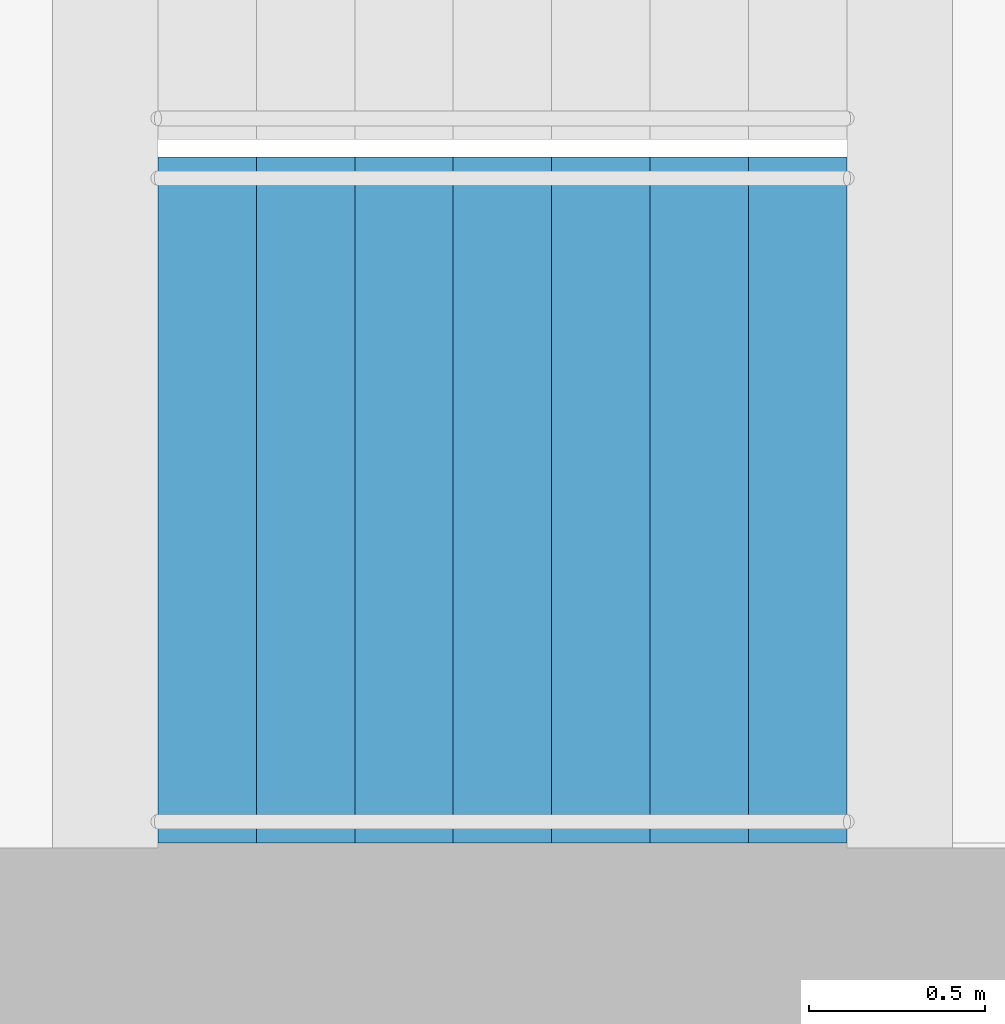
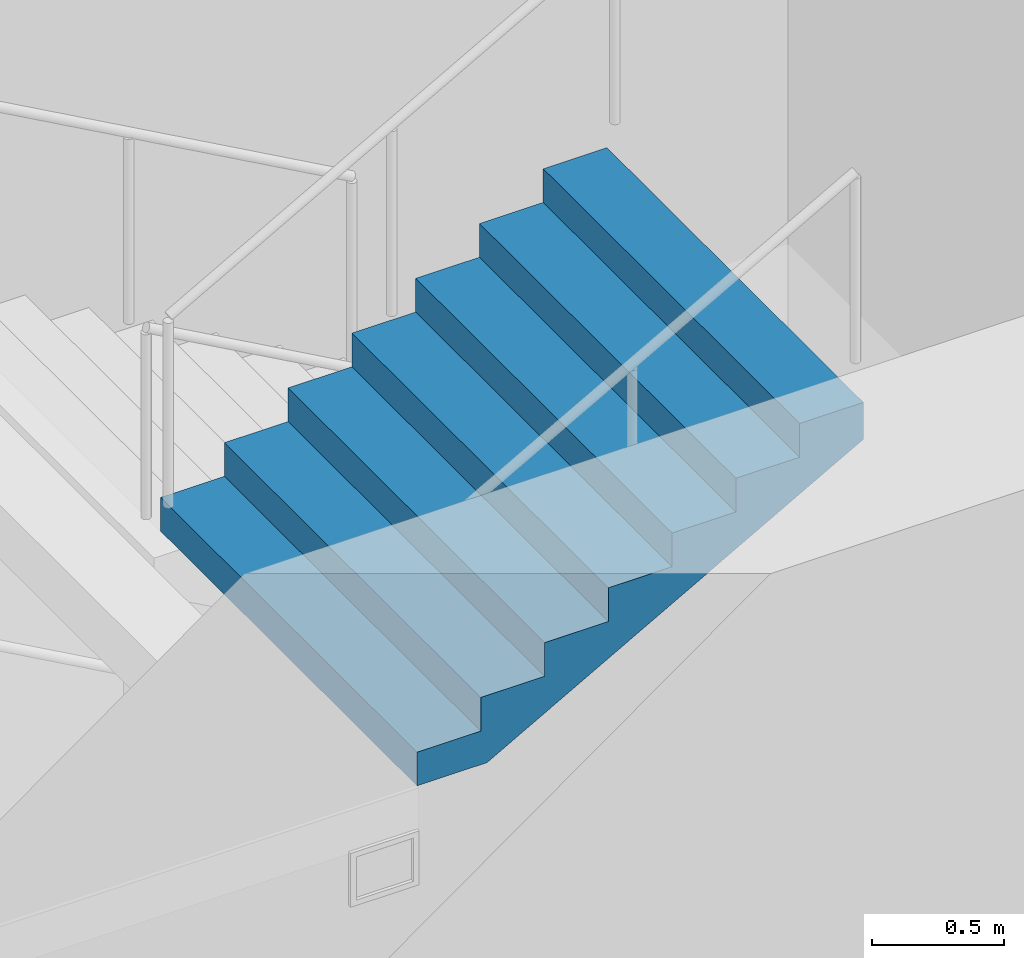
# One storey, part 23 of 26: 1 stair flight, 1 element without a shape of its own.
"""IFC4 building model written with IfcOpenShell, lengths in metres."""

import ifcopenshell
import ifcopenshell.guid

model = None  # the IFC model being written
_history = None  # IfcOwnerHistory: only IFC2X3 demands one
_inside = {}  # id of a spatial element -> (the spatial element, [elements in it])
_under = {}  # id of a project, library or spatial element -> (it, [spatial elements below it])
_declared = {}  # id of a project -> (the project, [libraries it declares])
_typed = {}  # id of a type object -> (the type object, [elements of that type])
_made_of = {}  # id of a material, layer set ... -> (it, [elements and type objects made of it])


def new_model(schema):
    """Start an empty IFC model of exactly this schema.

    Asked for "IFC4X3", IfcOpenShell would pick the latest addendum, in which some entities
    have other attributes; the version numbers below select the first issue.
    IFC2X3 requires an IfcOwnerHistory on every rooted entity: one is made here for all.
    """
    global model, _history
    if schema == "IFC4X3":
        model = ifcopenshell.file(schema_version=(4, 3, 0, 0))
    else:
        model = ifcopenshell.file(schema=schema)
    _inside.clear()
    _under.clear()
    _declared.clear()
    _typed.clear()
    _made_of.clear()
    _history = None
    if model.schema == "IFC2X3":
        org = make("IfcOrganization", Name="unknown")
        user = make(
            "IfcPersonAndOrganization",
            ThePerson=make("IfcPerson", FamilyName="unknown"),
            TheOrganization=org,
        )
        app = make(
            "IfcApplication",
            ApplicationDeveloper=org,
            Version="unknown",
            ApplicationFullName="unknown",
            ApplicationIdentifier="unknown",
        )
        _history = make(
            "IfcOwnerHistory",
            OwningUser=user,
            OwningApplication=app,
            ChangeAction="ADDED",
            CreationDate=0,
        )
    return model


def make(cls, **values):
    """One entity of the class cls with the attributes given. An attribute that is None is left unset."""
    return model.create_entity(
        cls, **{name: value for name, value in values.items() if value is not None}
    )


def rooted(cls, **values):
    """An entity with a GlobalId (a new one), such as an element, a storey or a relation."""
    return make(cls, GlobalId=ifcopenshell.guid.new(), OwnerHistory=_history, **values)


def si_unit(unit_type, name, prefix=None):
    """IfcSIUnit, for example si_unit("LENGTHUNIT", "METRE", prefix="MILLI")."""
    return make("IfcSIUnit", UnitType=unit_type, Prefix=prefix, Name=name)


def assignment(units):
    """IfcUnitAssignment: the units of a project."""
    return None if units is None else make("IfcUnitAssignment", Units=units)


def point(xyz):
    """IfcCartesianPoint."""
    return None if xyz is None else make("IfcCartesianPoint", Coordinates=xyz)


def direction(xyz):
    """IfcDirection."""
    return None if xyz is None else make("IfcDirection", DirectionRatios=xyz)


def frame(location, z_axis=None, x_axis=None):
    """IfcAxis2Placement3D, a coordinate frame: its origin and axes. An axis left out is left unset."""
    return make(
        "IfcAxis2Placement3D",
        Location=point(location),
        Axis=direction(z_axis),
        RefDirection=direction(x_axis),
    )


def origin():
    """The frame at (0, 0, 0) with its axes left unset."""
    return frame((0.0, 0.0, 0.0))


def place(relative_to, where):
    """IfcLocalPlacement: puts the frame where relative to a parent placement (None: the world)."""
    return make(
        "IfcLocalPlacement", PlacementRelTo=relative_to, RelativePlacement=where
    )


def context(
    kind, dimensions, precision=None, world=None, true_north=None, identifier=None
):
    """IfcGeometricRepresentationContext, for example the 3D "Model" context."""
    return make(
        "IfcGeometricRepresentationContext",
        ContextIdentifier=identifier,
        ContextType=kind,
        CoordinateSpaceDimension=dimensions,
        Precision=precision,
        WorldCoordinateSystem=world,
        TrueNorth=true_north,
    )


def subcontext(parent, identifier, kind, view, scale=None):
    """IfcGeometricRepresentationSubContext, for example "Body" below "Model"."""
    return make(
        "IfcGeometricRepresentationSubContext",
        ContextIdentifier=identifier,
        ContextType=kind,
        ParentContext=parent,
        TargetScale=scale,
        TargetView=view,
    )


def project(units=None, contexts=None):
    """IfcProject with its units and contexts."""
    return rooted(
        "IfcProject",
        Name="project",
        RepresentationContexts=contexts,
        UnitsInContext=assignment(units),
    )


def spatial(cls, under=None, at=None, **own):
    """A site, building, storey or space (cls), placed at a placement, below another one or the project."""
    s = rooted(cls, ObjectPlacement=at, **own)
    if under is not None:
        _under.setdefault(under.id(), (under, []))[1].append(s)
    return s


def point_list(points):
    """IfcCartesianPointList2D or 3D."""
    cls = (
        "IfcCartesianPointList2D" if len(points[0]) == 2 else "IfcCartesianPointList3D"
    )
    return make(cls, CoordList=points)


def triangles(points, corners, closed=None, point_numbers=None):
    """IfcTriangulatedFaceSet: each triangle names its three corners, points numbered from 1."""
    return make(
        "IfcTriangulatedFaceSet",
        Coordinates=point_list(points),
        Closed=closed,
        CoordIndex=corners,
        PnIndex=point_numbers,
    )


def shape(context_of_items, identifier, shape_type, items):
    """IfcShapeRepresentation: the items that make up one representation, for example the "Body"."""
    return make(
        "IfcShapeRepresentation",
        ContextOfItems=context_of_items,
        RepresentationIdentifier=identifier,
        RepresentationType=shape_type,
        Items=items,
    )


def material(Name=None, Category=None):
    """IfcMaterial."""
    return make("IfcMaterial", Name=Name, Category=Category)


def made_of(thing, what):
    """Note that an element or type object is made of a material, layer set ...; save() writes the relation."""
    if what is not None:
        _made_of.setdefault(what.id(), (what, []))[1].append(thing)
    return thing


def type_object(cls, material=None, **own):
    """A type object (cls), such as IfcWallType, which elements share."""
    return made_of(rooted(cls, **own), material)


def element(
    cls,
    number,
    at=None,
    inside=None,
    cuts=None,
    type_object=None,
    material=None,
    context=None,
    identifier="Body",
    shape_type=None,
    held_by="IfcProductDefinitionShape",
    body=None,
    shapes=None,
    **own,
):
    """One element of the class cls, such as IfcWall. Its Tag is "e" and its number.

    at: its placement. inside: the storey or other place that contains it. cuts: it is an
    opening in that element (IfcRelVoidsElement). A single representation is given by context,
    identifier, shape_type and body (its items); several are given by shapes. held_by: the class
    of the entity that holds the representations. save() writes the other relations.
    """
    e = rooted(cls, Tag="e%d" % number, ObjectPlacement=at, **own)
    if body is not None:
        shapes = [shape(context, identifier, shape_type, body)]
    if shapes is not None:
        e.Representation = make(held_by, Representations=shapes)
    if inside is not None:
        _inside.setdefault(inside.id(), (inside, []))[1].append(e)
    if cuts is not None:
        rooted(
            "IfcRelVoidsElement", RelatingBuildingElement=cuts, RelatedOpeningElement=e
        )
    if type_object is not None:
        _typed.setdefault(type_object.id(), (type_object, []))[1].append(e)
    return made_of(e, material)


def aggregate(whole, parts):
    """IfcRelAggregates: a whole, such as a stair, and the parts it consists of."""
    return rooted("IfcRelAggregates", RelatingObject=whole, RelatedObjects=parts)


def save(model, path):
    """Write the relations noted so far, then the file.

    IfcRelAggregates (storeys below a building ...), IfcRelContainedInSpatialStructure (elements
    in a storey), IfcRelDefinesByType, IfcRelAssociatesMaterial and IfcRelDeclares: one each for
    every whole, place, type object, material and project.
    """
    for whole, parts in _under.values():
        aggregate(whole, parts)
    for where, things in _inside.values():
        rooted(
            "IfcRelContainedInSpatialStructure",
            RelatedElements=things,
            RelatingStructure=where,
        )
    for kind, things in _typed.values():
        rooted("IfcRelDefinesByType", RelatedObjects=things, RelatingType=kind)
    for what, things in _made_of.values():
        rooted("IfcRelAssociatesMaterial", RelatedObjects=things, RelatingMaterial=what)
    for by, libraries in _declared.values():
        rooted("IfcRelDeclares", RelatingContext=by, RelatedDefinitions=libraries)
    model.write(path)


model = new_model("IFC4")

# Units and contexts
model_context = context("Model", 3, precision=1e-05, world=origin(), true_north=direction((0.0, 1.0)))
body_context = subcontext(model_context, "Body", "Model", "MODEL_VIEW")
ifc_project = project(units=[si_unit("LENGTHUNIT", "METRE"), si_unit("AREAUNIT", "SQUARE_METRE"), si_unit("VOLUMEUNIT", "CUBIC_METRE"), si_unit("PLANEANGLEUNIT", "RADIAN"), si_unit("MASSUNIT", "GRAM", prefix="KILO")], contexts=[model_context])

# Site, building, storey
site_placement = place(None, origin())
site = spatial("IfcSite", under=ifc_project, at=site_placement, CompositionType="ELEMENT")
building_placement = place(site_placement, origin())
building = spatial("IfcBuilding", under=site, at=building_placement, Name="Orbita Commons", CompositionType="ELEMENT")
storey_placement = place(building_placement, frame((0.0, 0.0, 11.0)))
storey = spatial("IfcBuildingStorey", under=building, at=storey_placement, Name="L02", CompositionType="ELEMENT", Elevation=11.0)

# Stair, stair flight
ifc_material_1 = material(Name="Precast concrete C40/50", Category="concrete")
stair_type = type_object("IfcStairType", Name="Exit stair S2 4 flights 8 risers 156", PredefinedType="HALF_TURN_STAIR", material=ifc_material_1)
stair_placement = place(storey_placement, origin())
stair = element("IfcStair", 1, at=stair_placement, inside=storey, type_object=stair_type, Name="Exit stair S2 L02", PredefinedType="HALF_TURN_STAIR")
ifc_material_2 = material(Name="Precast concrete C40/50", Category="concrete")
stair_flight_type = type_object("IfcStairFlightType", Name="Stair flight 8 risers 156 x 280", PredefinedType="STRAIGHT", material=ifc_material_2)
stair_flight_placement = place(storey_placement, frame((61.590087890625, 27.27490234375, 3.75), z_axis=(0.0, 0.0, 1.0), x_axis=(1.0, 0.0, 0.0)))
stair_flight = element("IfcStairFlight", 2, at=stair_flight_placement, type_object=stair_flight_type, Name="S2 flight 4", NumberOfRisers=8, NumberOfTreads=7, PredefinedType="STRAIGHT", RiserHeight=0.15625, TreadLength=0.28, context=body_context, shape_type="Tessellation", body=[
    triangles([(0.0, 0.974976, 0.0), (0.0, 0.974976, 0.019531), (0.0, 0.81248, 0.019531), (0.0, 0.81248, 0.0), (0.0, 0.649984, 0.019531), (0.0, 0.649984, 0.0), (0.0, 0.487488, 0.019531), (0.0, 0.487488, 0.0), (0.0, 0.324992, 0.019531), (0.0, 0.324992, 0.0), (0.0, 0.162496, 0.019531), (0.0, 0.162496, 0.0), (0.0, 0.0, 0.019531), (0.0, 0.0, 0.0), (0.0, -0.162496, 0.019531), (0.0, -0.162496, 0.0), (0.0, -0.324992, 0.019531), (0.0, -0.324992, 0.0), (0.0, -0.487488, 0.019531), (0.0, -0.487488, 0.0), (0.0, -0.649984, 0.019531), (0.0, -0.649984, 0.0), (0.0, -0.81248, 0.019531), (0.0, -0.81248, 0.0), (0.0, -0.974976, 0.019531), (0.0, -0.974976, 0.0), (0.0, 0.974976, 0.039062), (0.0, 0.81248, 0.039062), (0.0, 0.649984, 0.039062), (0.0, 0.487488, 0.039062), (0.0, 0.324992, 0.039062), (0.0, 0.162496, 0.039062), (0.0, 0.0, 0.039062), (0.0, -0.162496, 0.039062), (0.0, -0.324992, 0.039062), (0.0, -0.487488, 0.039062), (0.0, -0.649984, 0.039062), (0.0, -0.81248, 0.039062), (0.0, -0.974976, 0.039062), (0.0, 0.974976, 0.058594), (0.0, 0.81248, 0.058594), (0.0, 0.649984, 0.058594), (0.0, 0.487488, 0.058594), (0.0, 0.324992, 0.058594), (0.0, 0.162496, 0.058594), (0.0, 0.0, 0.058594), (0.0, -0.162496, 0.058594), (0.0, -0.324992, 0.058594), (0.0, -0.487488, 0.058594), (0.0, -0.649984, 0.058594), (0.0, -0.81248, 0.058594), (0.0, -0.974976, 0.058594), (0.0, 0.974976, 0.078125), (0.0, 0.81248, 0.078125), (0.0, 0.649984, 0.078125), (0.0, 0.487488, 0.078125), (0.0, 0.324992, 0.078125), (0.0, 0.162496, 0.078125), (0.0, 0.0, 0.078125), (0.0, -0.162496, 0.078125), (0.0, -0.324992, 0.078125), (0.0, -0.487488, 0.078125), (0.0, -0.649984, 0.078125), (0.0, -0.81248, 0.078125), (0.0, -0.974976, 0.078125), (0.0, 0.974976, 0.097656), (0.0, 0.81248, 0.097656), (0.0, 0.649984, 0.097656), (0.0, 0.487488, 0.097656), (0.0, 0.324992, 0.097656), (0.0, 0.162496, 0.097656), (0.0, 0.0, 0.097656), (0.0, -0.162496, 0.097656), (0.0, -0.324992, 0.097656), (0.0, -0.487488, 0.097656), (0.0, -0.649984, 0.097656), (0.0, -0.81248, 0.097656), (0.0, -0.974976, 0.097656), (0.0, 0.974976, 0.117188), (0.0, 0.81248, 0.117188), (0.0, 0.649984, 0.117188), (0.0, 0.487488, 0.117188), (0.0, 0.324992, 0.117188), (0.0, 0.162496, 0.117188), (0.0, 0.0, 0.117188), (0.0, -0.162496, 0.117188), (0.0, -0.324992, 0.117188), (0.0, -0.487488, 0.117188), (0.0, -0.649984, 0.117188), (0.0, -0.81248, 0.117188), (0.0, -0.974976, 0.117188), (0.0, 0.974976, 0.136719), (0.0, 0.81248, 0.136719), (0.0, 0.649984, 0.136719), (0.0, 0.487488, 0.136719), (0.0, 0.324992, 0.136719), (0.0, 0.162496, 0.136719), (0.0, 0.0, 0.136719), (0.0, -0.162496, 0.136719), (0.0, -0.324992, 0.136719), (0.0, -0.487488, 0.136719), (0.0, -0.649984, 0.136719), (0.0, -0.81248, 0.136719), (0.0, -0.974976, 0.136719), (0.0, 0.974976, 0.15625), (0.0, 0.81248, 0.15625), (0.0, 0.649984, 0.15625), (0.0, 0.487488, 0.15625), (0.0, 0.324992, 0.15625), (0.0, 0.162496, 0.15625), (0.0, 0.0, 0.15625), (0.0, -0.162496, 0.15625), (0.0, -0.324992, 0.15625), (0.0, -0.487488, 0.15625), (0.0, -0.649984, 0.15625), (0.0, -0.81248, 0.15625), (0.0, -0.974976, 0.15625), (0.28, 0.974976, 0.15625), (0.28, 0.81248, 0.15625), (0.28, 0.649984, 0.15625), (0.28, 0.487488, 0.15625), (0.28, 0.324992, 0.15625), (0.28, 0.162496, 0.15625), (0.28, 0.0, 0.15625), (0.28, -0.162496, 0.15625), (0.28, -0.324992, 0.15625), (0.28, -0.487488, 0.15625), (0.28, -0.649984, 0.15625), (0.28, -0.81248, 0.15625), (0.28, -0.974976, 0.15625), (0.28, 0.974976, 0.3125), (0.28, 0.81248, 0.3125), (0.28, 0.649984, 0.3125), (0.28, 0.487488, 0.3125), (0.28, 0.324992, 0.3125), (0.28, 0.162496, 0.3125), (0.28, 0.0, 0.3125), (0.28, -0.162496, 0.3125), (0.28, -0.324992, 0.3125), (0.28, -0.487488, 0.3125), (0.28, -0.649984, 0.3125), (0.28, -0.81248, 0.3125), (0.28, -0.974976, 0.3125), (0.56, 0.974976, 0.3125), (0.56, 0.81248, 0.3125), (0.56, 0.649984, 0.3125), (0.56, 0.487488, 0.3125), (0.56, 0.324992, 0.3125), (0.56, 0.162496, 0.3125), (0.56, 0.0, 0.3125), (0.56, -0.162496, 0.3125), (0.56, -0.324992, 0.3125), (0.56, -0.487488, 0.3125), (0.56, -0.649984, 0.3125), (0.56, -0.81248, 0.3125), (0.56, -0.974976, 0.3125), (0.56, 0.974976, 0.46875), (0.56, 0.81248, 0.46875), (0.56, 0.649984, 0.46875), (0.56, 0.487488, 0.46875), (0.56, 0.324992, 0.46875), (0.56, 0.162496, 0.46875), (0.56, 0.0, 0.46875), (0.56, -0.162496, 0.46875), (0.56, -0.324992, 0.46875), (0.56, -0.487488, 0.46875), (0.56, -0.649984, 0.46875), (0.56, -0.81248, 0.46875), (0.56, -0.974976, 0.46875), (0.84, 0.974976, 0.46875), (0.84, 0.81248, 0.46875), (0.84, 0.649984, 0.46875), (0.84, 0.487488, 0.46875), (0.84, 0.324992, 0.46875), (0.84, 0.162496, 0.46875), (0.84, 0.0, 0.46875), (0.84, -0.162496, 0.46875), (0.84, -0.324992, 0.46875), (0.84, -0.487488, 0.46875), (0.84, -0.649984, 0.46875), (0.84, -0.81248, 0.46875), (0.84, -0.974976, 0.46875), (0.84, 0.974976, 0.625), (0.84, 0.81248, 0.625), (0.84, 0.649984, 0.625), (0.84, 0.487488, 0.625), (0.84, 0.324992, 0.625), (0.84, 0.162496, 0.625), (0.84, 0.0, 0.625), (0.84, -0.162496, 0.625), (0.84, -0.324992, 0.625), (0.84, -0.487488, 0.625), (0.84, -0.649984, 0.625), (0.84, -0.81248, 0.625), (0.84, -0.974976, 0.625), (1.12, 0.974976, 0.625), (1.12, 0.81248, 0.625), (1.12, 0.649984, 0.625), (1.12, 0.487488, 0.625), (1.12, 0.324992, 0.625), (1.12, 0.162496, 0.625), (1.12, 0.0, 0.625), (1.12, -0.162496, 0.625), (1.12, -0.324992, 0.625), (1.12, -0.487488, 0.625), (1.12, -0.649984, 0.625), (1.12, -0.81248, 0.625), (1.12, -0.974976, 0.625), (1.12, 0.974976, 0.78125), (1.12, 0.81248, 0.78125), (1.12, 0.649984, 0.78125), (1.12, 0.487488, 0.78125), (1.12, 0.324992, 0.78125), (1.12, 0.162496, 0.78125), (1.12, 0.0, 0.78125), (1.12, -0.162496, 0.78125), (1.12, -0.324992, 0.78125), (1.12, -0.487488, 0.78125), (1.12, -0.649984, 0.78125), (1.12, -0.81248, 0.78125), (1.12, -0.974976, 0.78125), (1.4, 0.974976, 0.78125), (1.4, 0.81248, 0.78125), (1.4, 0.649984, 0.78125), (1.4, 0.487488, 0.78125), (1.4, 0.324992, 0.78125), (1.4, 0.162496, 0.78125), (1.4, 0.0, 0.78125), (1.4, -0.162496, 0.78125), (1.4, -0.324992, 0.78125), (1.4, -0.487488, 0.78125), (1.4, -0.649984, 0.78125), (1.4, -0.81248, 0.78125), (1.4, -0.974976, 0.78125), (1.4, 0.974976, 0.9375), (1.4, 0.81248, 0.9375), (1.4, 0.649984, 0.9375), (1.4, 0.487488, 0.9375), (1.4, 0.324992, 0.9375), (1.4, 0.162496, 0.9375), (1.4, 0.0, 0.9375), (1.4, -0.162496, 0.9375), (1.4, -0.324992, 0.9375), (1.4, -0.487488, 0.9375), (1.4, -0.649984, 0.9375), (1.4, -0.81248, 0.9375), (1.4, -0.974976, 0.9375), (1.68, 0.974976, 0.9375), (1.68, 0.81248, 0.9375), (1.68, 0.649984, 0.9375), (1.68, 0.487488, 0.9375), (1.68, 0.324992, 0.9375), (1.68, 0.162496, 0.9375), (1.68, 0.0, 0.9375), (1.68, -0.162496, 0.9375), (1.68, -0.324992, 0.9375), (1.68, -0.487488, 0.9375), (1.68, -0.649984, 0.9375), (1.68, -0.81248, 0.9375), (1.68, -0.974976, 0.9375), (1.68, 0.974976, 1.09375), (1.68, 0.81248, 1.09375), (1.68, 0.649984, 1.09375), (1.68, 0.487488, 1.09375), (1.68, 0.324992, 1.09375), (1.68, 0.162496, 1.09375), (1.68, 0.0, 1.09375), (1.68, -0.162496, 1.09375), (1.68, -0.324992, 1.09375), (1.68, -0.487488, 1.09375), (1.68, -0.649984, 1.09375), (1.68, -0.81248, 1.09375), (1.68, -0.974976, 1.09375), (1.96, 0.974976, 1.09375), (1.96, 0.81248, 1.09375), (1.96, 0.649984, 1.09375), (1.96, 0.487488, 1.09375), (1.96, 0.324992, 1.09375), (1.96, 0.162496, 1.09375), (1.96, 0.0, 1.09375), (1.96, -0.162496, 1.09375), (1.96, -0.324992, 1.09375), (1.96, -0.487488, 1.09375), (1.96, -0.649984, 1.09375), (1.96, -0.81248, 1.09375), (1.96, -0.974976, 1.09375), (1.96, 0.974976, 1.072292), (1.96, 0.81248, 1.072292), (1.96, 0.649984, 1.072292), (1.96, 0.487488, 1.072292), (1.96, 0.324992, 1.072292), (1.96, 0.162496, 1.072292), (1.96, 0.0, 1.072292), (1.96, -0.162496, 1.072292), (1.96, -0.324992, 1.072292), (1.96, -0.487488, 1.072292), (1.96, -0.649984, 1.072292), (1.96, -0.81248, 1.072292), (1.96, -0.974976, 1.072292), (1.96, 0.974976, 1.050834), (1.96, 0.81248, 1.050834), (1.96, 0.649984, 1.050834), (1.96, 0.487488, 1.050834), (1.96, 0.324992, 1.050834), (1.96, 0.162496, 1.050834), (1.96, 0.0, 1.050834), (1.96, -0.162496, 1.050834), (1.96, -0.324992, 1.050834), (1.96, -0.487488, 1.050834), (1.96, -0.649984, 1.050834), (1.96, -0.81248, 1.050834), (1.96, -0.974976, 1.050834), (1.96, 0.974976, 1.029376), (1.96, 0.81248, 1.029376), (1.96, 0.649984, 1.029376), (1.96, 0.487488, 1.029376), (1.96, 0.324992, 1.029376), (1.96, 0.162496, 1.029376), (1.96, 0.0, 1.029376), (1.96, -0.162496, 1.029376), (1.96, -0.324992, 1.029376), (1.96, -0.487488, 1.029376), (1.96, -0.649984, 1.029376), (1.96, -0.81248, 1.029376), (1.96, -0.974976, 1.029376), (1.96, 0.974976, 1.007919), (1.96, 0.81248, 1.007919), (1.96, 0.649984, 1.007919), (1.96, 0.487488, 1.007919), (1.96, 0.324992, 1.007919), (1.96, 0.162496, 1.007919), (1.96, 0.0, 1.007919), (1.96, -0.162496, 1.007919), (1.96, -0.324992, 1.007919), (1.96, -0.487488, 1.007919), (1.96, -0.649984, 1.007919), (1.96, -0.81248, 1.007919), (1.96, -0.974976, 1.007919), (1.96, 0.974976, 0.986461), (1.96, 0.81248, 0.986461), (1.96, 0.649984, 0.986461), (1.96, 0.487488, 0.986461), (1.96, 0.324992, 0.986461), (1.96, 0.162496, 0.986461), (1.96, 0.0, 0.986461), (1.96, -0.162496, 0.986461), (1.96, -0.324992, 0.986461), (1.96, -0.487488, 0.986461), (1.96, -0.649984, 0.986461), (1.96, -0.81248, 0.986461), (1.96, -0.974976, 0.986461), (1.96, 0.974976, 0.965003), (1.96, 0.81248, 0.965003), (1.96, 0.649984, 0.965003), (1.96, 0.487488, 0.965003), (1.96, 0.324992, 0.965003), (1.96, 0.162496, 0.965003), (1.96, 0.0, 0.965003), (1.96, -0.162496, 0.965003), (1.96, -0.324992, 0.965003), (1.96, -0.487488, 0.965003), (1.96, -0.649984, 0.965003), (1.96, -0.81248, 0.965003), (1.96, -0.974976, 0.965003), (1.96, 0.974976, 0.943545), (1.96, 0.81248, 0.943545), (1.96, 0.649984, 0.943545), (1.96, 0.487488, 0.943545), (1.96, 0.324992, 0.943545), (1.96, 0.162496, 0.943545), (1.96, 0.0, 0.943545), (1.96, -0.162496, 0.943545), (1.96, -0.324992, 0.943545), (1.96, -0.487488, 0.943545), (1.96, -0.649984, 0.943545), (1.96, -0.81248, 0.943545), (1.96, -0.974976, 0.943545), (1.96, 0.974976, 0.922087), (1.96, 0.81248, 0.922087), (1.96, 0.649984, 0.922087), (1.96, 0.487488, 0.922087), (1.96, 0.324992, 0.922087), (1.96, 0.162496, 0.922087), (1.96, 0.0, 0.922087), (1.96, -0.162496, 0.922087), (1.96, -0.324992, 0.922087), (1.96, -0.487488, 0.922087), (1.96, -0.649984, 0.922087), (1.96, -0.81248, 0.922087), (1.96, -0.974976, 0.922087), (0.30762, 0.974976, 0.0), (0.30762, 0.81248, 0.0), (0.30762, 0.649984, 0.0), (0.30762, 0.487488, 0.0), (0.30762, 0.324992, 0.0), (0.30762, 0.162496, 0.0), (0.30762, 0.0, 0.0), (0.30762, -0.162496, 0.0), (0.30762, -0.324992, 0.0), (0.30762, -0.487488, 0.0), (0.30762, -0.649984, 0.0), (0.30762, -0.81248, 0.0), (0.30762, -0.974976, 0.0)], [[3, 2, 1], [4, 3, 1], [5, 3, 4], [6, 5, 4], [7, 5, 6], [8, 7, 6], [9, 7, 8], [10, 9, 8], [11, 9, 10], [12, 11, 10], [13, 11, 12], [14, 13, 12], [15, 13, 14], [16, 15, 14], [17, 15, 16], [18, 17, 16], [19, 17, 18], [20, 19, 18], [21, 19, 20], [22, 21, 20], [23, 21, 22], [24, 23, 22], [25, 23, 24], [26, 25, 24], [28, 27, 2], [3, 28, 2], [29, 28, 3], [5, 29, 3], [30, 29, 5], [7, 30, 5], [31, 30, 7], [9, 31, 7], [32, 31, 9], [11, 32, 9], [33, 32, 11], [13, 33, 11], [34, 33, 13], [15, 34, 13], [35, 34, 15], [17, 35, 15], [36, 35, 17], [19, 36, 17], [37, 36, 19], [21, 37, 19], [38, 37, 21], [23, 38, 21], [39, 38, 23], [25, 39, 23], [41, 40, 27], [28, 41, 27], [42, 41, 28], [29, 42, 28], [43, 42, 29], [30, 43, 29], [44, 43, 30], [31, 44, 30], [45, 44, 31], [32, 45, 31], [46, 45, 32], [33, 46, 32], [47, 46, 33], [34, 47, 33], [48, 47, 34], [35, 48, 34], [49, 48, 35], [36, 49, 35], [50, 49, 36], [37, 50, 36], [51, 50, 37], [38, 51, 37], [52, 51, 38], [39, 52, 38], [54, 53, 40], [41, 54, 40], [55, 54, 41], [42, 55, 41], [56, 55, 42], [43, 56, 42], [57, 56, 43], [44, 57, 43], [58, 57, 44], [45, 58, 44], [59, 58, 45], [46, 59, 45], [60, 59, 46], [47, 60, 46], [61, 60, 47], [48, 61, 47], [62, 61, 48], [49, 62, 48], [63, 62, 49], [50, 63, 49], [64, 63, 50], [51, 64, 50], [65, 64, 51], [52, 65, 51], [67, 66, 53], [54, 67, 53], [68, 67, 54], [55, 68, 54], [69, 68, 55], [56, 69, 55], [70, 69, 56], [57, 70, 56], [71, 70, 57], [58, 71, 57], [72, 71, 58], [59, 72, 58], [73, 72, 59], [60, 73, 59], [74, 73, 60], [61, 74, 60], [75, 74, 61], [62, 75, 61], [76, 75, 62], [63, 76, 62], [77, 76, 63], [64, 77, 63], [78, 77, 64], [65, 78, 64], [80, 79, 66], [67, 80, 66], [81, 80, 67], [68, 81, 67], [82, 81, 68], [69, 82, 68], [83, 82, 69], [70, 83, 69], [84, 83, 70], [71, 84, 70], [85, 84, 71], [72, 85, 71], [86, 85, 72], [73, 86, 72], [87, 86, 73], [74, 87, 73], [88, 87, 74], [75, 88, 74], [89, 88, 75], [76, 89, 75], [90, 89, 76], [77, 90, 76], [91, 90, 77], [78, 91, 77], [93, 92, 79], [80, 93, 79], [94, 93, 80], [81, 94, 80], [95, 94, 81], [82, 95, 81], [96, 95, 82], [83, 96, 82], [97, 96, 83], [84, 97, 83], [98, 97, 84], [85, 98, 84], [99, 98, 85], [86, 99, 85], [100, 99, 86], [87, 100, 86], [101, 100, 87], [88, 101, 87], [102, 101, 88], [89, 102, 88], [103, 102, 89], [90, 103, 89], [104, 103, 90], [91, 104, 90], [106, 105, 92], [93, 106, 92], [107, 106, 93], [94, 107, 93], [108, 107, 94], [95, 108, 94], [109, 108, 95], [96, 109, 95], [110, 109, 96], [97, 110, 96], [111, 110, 97], [98, 111, 97], [112, 111, 98], [99, 112, 98], [113, 112, 99], [100, 113, 99], [114, 113, 100], [101, 114, 100], [115, 114, 101], [102, 115, 101], [116, 115, 102], [103, 116, 102], [117, 116, 103], [104, 117, 103], [119, 118, 105], [106, 119, 105], [120, 119, 106], [107, 120, 106], [121, 120, 107], [108, 121, 107], [122, 121, 108], [109, 122, 108], [123, 122, 109], [110, 123, 109], [124, 123, 110], [111, 124, 110], [125, 124, 111], [112, 125, 111], [126, 125, 112], [113, 126, 112], [127, 126, 113], [114, 127, 113], [128, 127, 114], [115, 128, 114], [129, 128, 115], [116, 129, 115], [130, 129, 116], [117, 130, 116], [132, 131, 118], [119, 132, 118], [133, 132, 119], [120, 133, 119], [134, 133, 120], [121, 134, 120], [135, 134, 121], [122, 135, 121], [136, 135, 122], [123, 136, 122], [137, 136, 123], [124, 137, 123], [138, 137, 124], [125, 138, 124], [139, 138, 125], [126, 139, 125], [140, 139, 126], [127, 140, 126], [141, 140, 127], [128, 141, 127], [142, 141, 128], [129, 142, 128], [143, 142, 129], [130, 143, 129], [145, 144, 131], [132, 145, 131], [146, 145, 132], [133, 146, 132], [147, 146, 133], [134, 147, 133], [148, 147, 134], [135, 148, 134], [149, 148, 135], [136, 149, 135], [150, 149, 136], [137, 150, 136], [151, 150, 137], [138, 151, 137], [152, 151, 138], [139, 152, 138], [153, 152, 139], [140, 153, 139], [154, 153, 140], [141, 154, 140], [155, 154, 141], [142, 155, 141], [156, 155, 142], [143, 156, 142], [158, 157, 144], [145, 158, 144], [159, 158, 145], [146, 159, 145], [160, 159, 146], [147, 160, 146], [161, 160, 147], [148, 161, 147], [162, 161, 148], [149, 162, 148], [163, 162, 149], [150, 163, 149], [164, 163, 150], [151, 164, 150], [165, 164, 151], [152, 165, 151], [166, 165, 152], [153, 166, 152], [167, 166, 153], [154, 167, 153], [168, 167, 154], [155, 168, 154], [169, 168, 155], [156, 169, 155], [171, 170, 157], [158, 171, 157], [172, 171, 158], [159, 172, 158], [173, 172, 159], [160, 173, 159], [174, 173, 160], [161, 174, 160], [175, 174, 161], [162, 175, 161], [176, 175, 162], [163, 176, 162], [177, 176, 163], [164, 177, 163], [178, 177, 164], [165, 178, 164], [179, 178, 165], [166, 179, 165], [180, 179, 166], [167, 180, 166], [181, 180, 167], [168, 181, 167], [182, 181, 168], [169, 182, 168], [184, 183, 170], [171, 184, 170], [185, 184, 171], [172, 185, 171], [186, 185, 172], [173, 186, 172], [187, 186, 173], [174, 187, 173], [188, 187, 174], [175, 188, 174], [189, 188, 175], [176, 189, 175], [190, 189, 176], [177, 190, 176], [191, 190, 177], [178, 191, 177], [192, 191, 178], [179, 192, 178], [193, 192, 179], [180, 193, 179], [194, 193, 180], [181, 194, 180], [195, 194, 181], [182, 195, 181], [197, 196, 183], [184, 197, 183], [198, 197, 184], [185, 198, 184], [199, 198, 185], [186, 199, 185], [200, 199, 186], [187, 200, 186], [201, 200, 187], [188, 201, 187], [202, 201, 188], [189, 202, 188], [203, 202, 189], [190, 203, 189], [204, 203, 190], [191, 204, 190], [205, 204, 191], [192, 205, 191], [206, 205, 192], [193, 206, 192], [207, 206, 193], [194, 207, 193], [208, 207, 194], [195, 208, 194], [210, 209, 196], [197, 210, 196], [211, 210, 197], [198, 211, 197], [212, 211, 198], [199, 212, 198], [213, 212, 199], [200, 213, 199], [214, 213, 200], [201, 214, 200], [215, 214, 201], [202, 215, 201], [216, 215, 202], [203, 216, 202], [217, 216, 203], [204, 217, 203], [218, 217, 204], [205, 218, 204], [219, 218, 205], [206, 219, 205], [220, 219, 206], [207, 220, 206], [221, 220, 207], [208, 221, 207], [223, 222, 209], [210, 223, 209], [224, 223, 210], [211, 224, 210], [225, 224, 211], [212, 225, 211], [226, 225, 212], [213, 226, 212], [227, 226, 213], [214, 227, 213], [228, 227, 214], [215, 228, 214], [229, 228, 215], [216, 229, 215], [230, 229, 216], [217, 230, 216], [231, 230, 217], [218, 231, 217], [232, 231, 218], [219, 232, 218], [233, 232, 219], [220, 233, 219], [234, 233, 220], [221, 234, 220], [236, 235, 222], [223, 236, 222], [237, 236, 223], [224, 237, 223], [238, 237, 224], [225, 238, 224], [239, 238, 225], [226, 239, 225], [240, 239, 226], [227, 240, 226], [241, 240, 227], [228, 241, 227], [242, 241, 228], [229, 242, 228], [243, 242, 229], [230, 243, 229], [244, 243, 230], [231, 244, 230], [245, 244, 231], [232, 245, 231], [246, 245, 232], [233, 246, 232], [247, 246, 233], [234, 247, 233], [249, 248, 235], [236, 249, 235], [250, 249, 236], [237, 250, 236], [251, 250, 237], [238, 251, 237], [252, 251, 238], [239, 252, 238], [253, 252, 239], [240, 253, 239], [254, 253, 240], [241, 254, 240], [255, 254, 241], [242, 255, 241], [256, 255, 242], [243, 256, 242], [257, 256, 243], [244, 257, 243], [258, 257, 244], [245, 258, 244], [259, 258, 245], [246, 259, 245], [260, 259, 246], [247, 260, 246], [262, 261, 248], [249, 262, 248], [263, 262, 249], [250, 263, 249], [264, 263, 250], [251, 264, 250], [265, 264, 251], [252, 265, 251], [266, 265, 252], [253, 266, 252], [267, 266, 253], [254, 267, 253], [268, 267, 254], [255, 268, 254], [269, 268, 255], [256, 269, 255], [270, 269, 256], [257, 270, 256], [271, 270, 257], [258, 271, 257], [272, 271, 258], [259, 272, 258], [273, 272, 259], [260, 273, 259], [275, 274, 261], [262, 275, 261], [276, 275, 262], [263, 276, 262], [277, 276, 263], [264, 277, 263], [278, 277, 264], [265, 278, 264], [279, 278, 265], [266, 279, 265], [280, 279, 266], [267, 280, 266], [281, 280, 267], [268, 281, 267], [282, 281, 268], [269, 282, 268], [283, 282, 269], [270, 283, 269], [284, 283, 270], [271, 284, 270], [285, 284, 271], [272, 285, 271], [286, 285, 272], [273, 286, 272], [288, 287, 274], [275, 288, 274], [289, 288, 275], [276, 289, 275], [290, 289, 276], [277, 290, 276], [291, 290, 277], [278, 291, 277], [292, 291, 278], [279, 292, 278], [293, 292, 279], [280, 293, 279], [294, 293, 280], [281, 294, 280], [295, 294, 281], [282, 295, 281], [296, 295, 282], [283, 296, 282], [297, 296, 283], [284, 297, 283], [298, 297, 284], [285, 298, 284], [299, 298, 285], [286, 299, 285], [301, 300, 287], [288, 301, 287], [302, 301, 288], [289, 302, 288], [303, 302, 289], [290, 303, 289], [304, 303, 290], [291, 304, 290], [305, 304, 291], [292, 305, 291], [306, 305, 292], [293, 306, 292], [307, 306, 293], [294, 307, 293], [308, 307, 294], [295, 308, 294], [309, 308, 295], [296, 309, 295], [310, 309, 296], [297, 310, 296], [311, 310, 297], [298, 311, 297], [312, 311, 298], [299, 312, 298], [314, 313, 300], [301, 314, 300], [315, 314, 301], [302, 315, 301], [316, 315, 302], [303, 316, 302], [317, 316, 303], [304, 317, 303], [318, 317, 304], [305, 318, 304], [319, 318, 305], [306, 319, 305], [320, 319, 306], [307, 320, 306], [321, 320, 307], [308, 321, 307], [322, 321, 308], [309, 322, 308], [323, 322, 309], [310, 323, 309], [324, 323, 310], [311, 324, 310], [325, 324, 311], [312, 325, 311], [327, 326, 313], [314, 327, 313], [328, 327, 314], [315, 328, 314], [329, 328, 315], [316, 329, 315], [330, 329, 316], [317, 330, 316], [331, 330, 317], [318, 331, 317], [332, 331, 318], [319, 332, 318], [333, 332, 319], [320, 333, 319], [334, 333, 320], [321, 334, 320], [335, 334, 321], [322, 335, 321], [336, 335, 322], [323, 336, 322], [337, 336, 323], [324, 337, 323], [338, 337, 324], [325, 338, 324], [340, 339, 326], [327, 340, 326], [341, 340, 327], [328, 341, 327], [342, 341, 328], [329, 342, 328], [343, 342, 329], [330, 343, 329], [344, 343, 330], [331, 344, 330], [345, 344, 331], [332, 345, 331], [346, 345, 332], [333, 346, 332], [347, 346, 333], [334, 347, 333], [348, 347, 334], [335, 348, 334], [349, 348, 335], [336, 349, 335], [350, 349, 336], [337, 350, 336], [351, 350, 337], [338, 351, 337], [353, 352, 339], [340, 353, 339], [354, 353, 340], [341, 354, 340], [355, 354, 341], [342, 355, 341], [356, 355, 342], [343, 356, 342], [357, 356, 343], [344, 357, 343], [358, 357, 344], [345, 358, 344], [359, 358, 345], [346, 359, 345], [360, 359, 346], [347, 360, 346], [361, 360, 347], [348, 361, 347], [362, 361, 348], [349, 362, 348], [363, 362, 349], [350, 363, 349], [364, 363, 350], [351, 364, 350], [366, 365, 352], [353, 366, 352], [367, 366, 353], [354, 367, 353], [368, 367, 354], [355, 368, 354], [369, 368, 355], [356, 369, 355], [370, 369, 356], [357, 370, 356], [371, 370, 357], [358, 371, 357], [372, 371, 358], [359, 372, 358], [373, 372, 359], [360, 373, 359], [374, 373, 360], [361, 374, 360], [375, 374, 361], [362, 375, 361], [376, 375, 362], [363, 376, 362], [377, 376, 363], [364, 377, 363], [379, 378, 365], [366, 379, 365], [380, 379, 366], [367, 380, 366], [381, 380, 367], [368, 381, 367], [382, 381, 368], [369, 382, 368], [383, 382, 369], [370, 383, 369], [384, 383, 370], [371, 384, 370], [385, 384, 371], [372, 385, 371], [386, 385, 372], [373, 386, 372], [387, 386, 373], [374, 387, 373], [388, 387, 374], [375, 388, 374], [389, 388, 375], [376, 389, 375], [390, 389, 376], [377, 390, 376], [392, 391, 378], [379, 392, 378], [393, 392, 379], [380, 393, 379], [394, 393, 380], [381, 394, 380], [395, 394, 381], [382, 395, 381], [396, 395, 382], [383, 396, 382], [397, 396, 383], [384, 397, 383], [398, 397, 384], [385, 398, 384], [399, 398, 385], [386, 399, 385], [400, 399, 386], [387, 400, 386], [401, 400, 387], [388, 401, 387], [402, 401, 388], [389, 402, 388], [403, 402, 389], [390, 403, 389], [4, 1, 391], [392, 4, 391], [6, 4, 392], [393, 6, 392], [8, 6, 393], [394, 8, 393], [10, 8, 394], [395, 10, 394], [12, 10, 395], [396, 12, 395], [14, 12, 396], [397, 14, 396], [16, 14, 397], [398, 16, 397], [18, 16, 398], [399, 18, 398], [20, 18, 399], [400, 20, 399], [22, 20, 400], [401, 22, 400], [24, 22, 401], [402, 24, 401], [26, 24, 402], [403, 26, 402], [378, 391, 1], [26, 403, 390], [365, 378, 1], [26, 390, 377], [352, 365, 1], [26, 377, 364], [339, 352, 1], [26, 364, 351], [326, 339, 1], [26, 351, 338], [313, 326, 1], [26, 338, 325], [300, 313, 1], [26, 325, 312], [287, 300, 1], [26, 312, 299], [261, 274, 287], [299, 286, 273], [248, 261, 287], [299, 273, 260], [222, 235, 248], [260, 247, 234], [222, 248, 287], [299, 260, 234], [196, 209, 222], [234, 221, 208], [196, 222, 287], [299, 234, 208], [170, 183, 196], [208, 195, 182], [170, 196, 287], [299, 208, 182], [144, 157, 170], [182, 169, 156], [144, 170, 287], [299, 182, 156], [118, 131, 144], [156, 143, 130], [118, 144, 287], [299, 156, 130], [118, 287, 1], [26, 299, 130], [92, 105, 118], [130, 117, 104], [79, 92, 118], [130, 104, 91], [66, 79, 118], [130, 91, 78], [53, 66, 118], [130, 78, 65], [40, 53, 118], [130, 65, 52], [27, 40, 118], [130, 52, 39], [2, 27, 118], [130, 39, 25], [1, 2, 118], [130, 25, 26]], closed=True),
])
aggregate(stair, [stair_flight])

save(model, "model.ifc")
